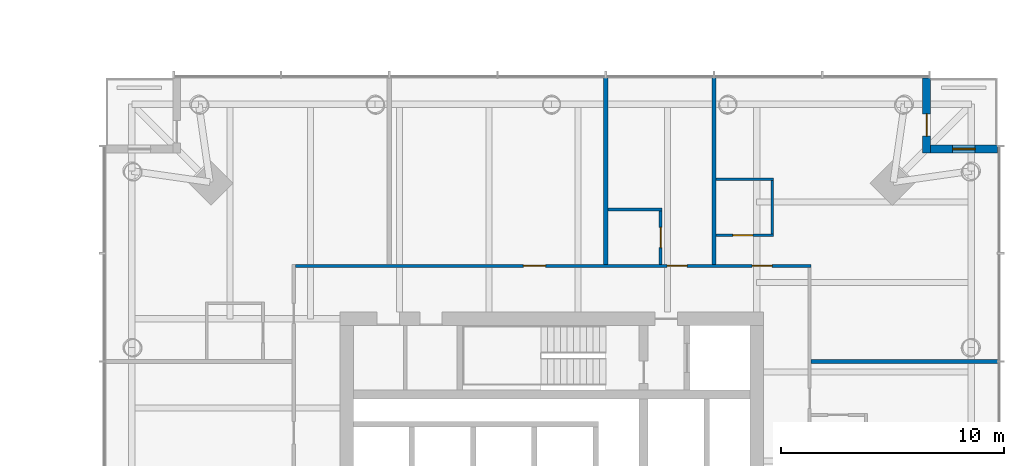
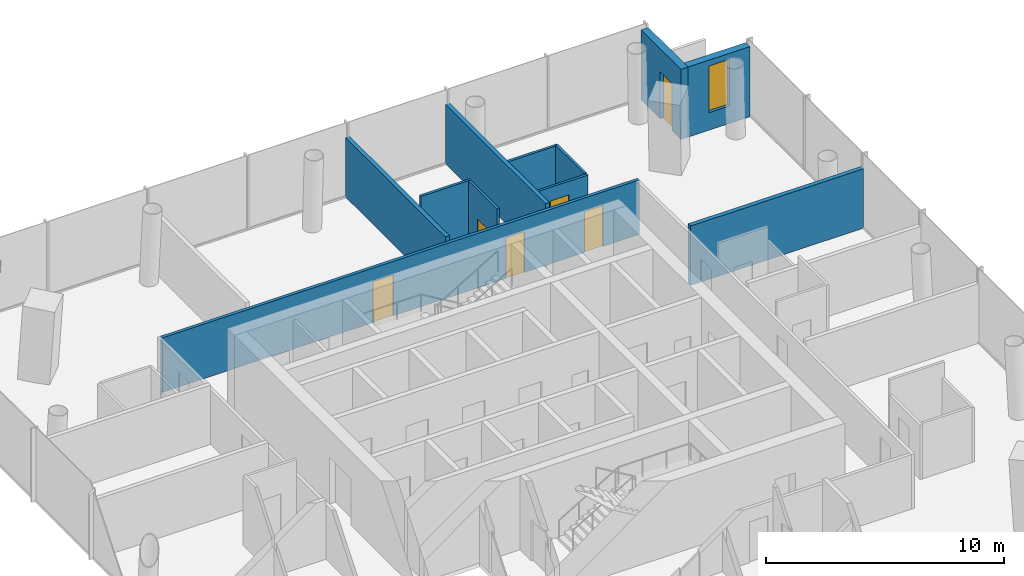
# One storey, part 16 of 19: 11 walls, 6 doors, 1 window, 7 openings.
"""IFC4 building model written with IfcOpenShell, lengths in metres."""

import ifcopenshell
import ifcopenshell.guid

model = None  # the IFC model being written
_history = None  # IfcOwnerHistory: only IFC2X3 demands one
_inside = {}  # id of a spatial element -> (the spatial element, [elements in it])
_under = {}  # id of a project, library or spatial element -> (it, [spatial elements below it])
_declared = {}  # id of a project -> (the project, [libraries it declares])
_typed = {}  # id of a type object -> (the type object, [elements of that type])
_made_of = {}  # id of a material, layer set ... -> (it, [elements and type objects made of it])


def new_model(schema):
    """Start an empty IFC model of exactly this schema.

    Asked for "IFC4X3", IfcOpenShell would pick the latest addendum, in which some entities
    have other attributes; the version numbers below select the first issue.
    IFC2X3 requires an IfcOwnerHistory on every rooted entity: one is made here for all.
    """
    global model, _history
    if schema == "IFC4X3":
        model = ifcopenshell.file(schema_version=(4, 3, 0, 0))
    else:
        model = ifcopenshell.file(schema=schema)
    _inside.clear()
    _under.clear()
    _declared.clear()
    _typed.clear()
    _made_of.clear()
    _history = None
    if model.schema == "IFC2X3":
        org = make("IfcOrganization", Name="unknown")
        user = make(
            "IfcPersonAndOrganization",
            ThePerson=make("IfcPerson", FamilyName="unknown"),
            TheOrganization=org,
        )
        app = make(
            "IfcApplication",
            ApplicationDeveloper=org,
            Version="unknown",
            ApplicationFullName="unknown",
            ApplicationIdentifier="unknown",
        )
        _history = make(
            "IfcOwnerHistory",
            OwningUser=user,
            OwningApplication=app,
            ChangeAction="ADDED",
            CreationDate=0,
        )
    return model


def make(cls, **values):
    """One entity of the class cls with the attributes given. An attribute that is None is left unset."""
    return model.create_entity(
        cls, **{name: value for name, value in values.items() if value is not None}
    )


def rooted(cls, **values):
    """An entity with a GlobalId (a new one), such as an element, a storey or a relation."""
    return make(cls, GlobalId=ifcopenshell.guid.new(), OwnerHistory=_history, **values)


def si_unit(unit_type, name, prefix=None):
    """IfcSIUnit, for example si_unit("LENGTHUNIT", "METRE", prefix="MILLI")."""
    return make("IfcSIUnit", UnitType=unit_type, Prefix=prefix, Name=name)


def assignment(units):
    """IfcUnitAssignment: the units of a project."""
    return None if units is None else make("IfcUnitAssignment", Units=units)


def point(xyz):
    """IfcCartesianPoint."""
    return None if xyz is None else make("IfcCartesianPoint", Coordinates=xyz)


def direction(xyz):
    """IfcDirection."""
    return None if xyz is None else make("IfcDirection", DirectionRatios=xyz)


def frame(location, z_axis=None, x_axis=None):
    """IfcAxis2Placement3D, a coordinate frame: its origin and axes. An axis left out is left unset."""
    return make(
        "IfcAxis2Placement3D",
        Location=point(location),
        Axis=direction(z_axis),
        RefDirection=direction(x_axis),
    )


def frame_2d(location, x_axis=None):
    """IfcAxis2Placement2D, a coordinate frame in the plane: its origin and x axis."""
    return make(
        "IfcAxis2Placement2D", Location=point(location), RefDirection=direction(x_axis)
    )


def origin():
    """The frame at (0, 0, 0) with its axes left unset."""
    return frame((0.0, 0.0, 0.0))


def place(relative_to, where):
    """IfcLocalPlacement: puts the frame where relative to a parent placement (None: the world)."""
    return make(
        "IfcLocalPlacement", PlacementRelTo=relative_to, RelativePlacement=where
    )


def context(
    kind, dimensions, precision=None, world=None, true_north=None, identifier=None
):
    """IfcGeometricRepresentationContext, for example the 3D "Model" context."""
    return make(
        "IfcGeometricRepresentationContext",
        ContextIdentifier=identifier,
        ContextType=kind,
        CoordinateSpaceDimension=dimensions,
        Precision=precision,
        WorldCoordinateSystem=world,
        TrueNorth=true_north,
    )


def subcontext(parent, identifier, kind, view, scale=None):
    """IfcGeometricRepresentationSubContext, for example "Body" below "Model"."""
    return make(
        "IfcGeometricRepresentationSubContext",
        ContextIdentifier=identifier,
        ContextType=kind,
        ParentContext=parent,
        TargetScale=scale,
        TargetView=view,
    )


def project(units=None, contexts=None):
    """IfcProject with its units and contexts."""
    return rooted(
        "IfcProject",
        Name="project",
        RepresentationContexts=contexts,
        UnitsInContext=assignment(units),
    )


def spatial(cls, under=None, at=None, **own):
    """A site, building, storey or space (cls), placed at a placement, below another one or the project."""
    s = rooted(cls, ObjectPlacement=at, **own)
    if under is not None:
        _under.setdefault(under.id(), (under, []))[1].append(s)
    return s


def profile(cls, at=None, kind="AREA", **sizes):
    """A parametric profile (cls). Its sizes go by their IFC names, for example OverallWidth=200.0."""
    return make(cls, ProfileType=kind, Position=at, **sizes)


def rectangle(**sizes):
    """IfcRectangleProfileDef."""
    return profile("IfcRectangleProfileDef", **sizes)


def extrude(swept, where, along, depth):
    """IfcExtrudedAreaSolid: the profile swept, set in the frame where, extruded along a direction by depth."""
    return make(
        "IfcExtrudedAreaSolid",
        SweptArea=swept,
        Position=where,
        ExtrudedDirection=direction(along),
        Depth=depth,
    )


def shape(context_of_items, identifier, shape_type, items):
    """IfcShapeRepresentation: the items that make up one representation, for example the "Body"."""
    return make(
        "IfcShapeRepresentation",
        ContextOfItems=context_of_items,
        RepresentationIdentifier=identifier,
        RepresentationType=shape_type,
        Items=items,
    )


def material(Name=None, Category=None):
    """IfcMaterial."""
    return make("IfcMaterial", Name=Name, Category=Category)


def layer(
    of_material, thickness, ventilated=None, Name=None, Category=None, Priority=None
):
    """IfcMaterialLayer: one layer of a wall or slab, of a material (None: an air gap)."""
    return make(
        "IfcMaterialLayer",
        Material=of_material,
        LayerThickness=thickness,
        IsVentilated=ventilated,
        Name=Name,
        Category=Category,
        Priority=Priority,
    )


def layer_set(layers, Name=None):
    """IfcMaterialLayerSet."""
    return make("IfcMaterialLayerSet", MaterialLayers=layers, LayerSetName=Name)


def made_of(thing, what):
    """Note that an element or type object is made of a material, layer set ...; save() writes the relation."""
    if what is not None:
        _made_of.setdefault(what.id(), (what, []))[1].append(thing)
    return thing


def type_object(cls, material=None, **own):
    """A type object (cls), such as IfcWallType, which elements share."""
    return made_of(rooted(cls, **own), material)


def element(
    cls,
    number,
    at=None,
    inside=None,
    cuts=None,
    type_object=None,
    material=None,
    context=None,
    identifier="Body",
    shape_type=None,
    held_by="IfcProductDefinitionShape",
    body=None,
    shapes=None,
    **own,
):
    """One element of the class cls, such as IfcWall. Its Tag is "e" and its number.

    at: its placement. inside: the storey or other place that contains it. cuts: it is an
    opening in that element (IfcRelVoidsElement). A single representation is given by context,
    identifier, shape_type and body (its items); several are given by shapes. held_by: the class
    of the entity that holds the representations. save() writes the other relations.
    """
    e = rooted(cls, Tag="e%d" % number, ObjectPlacement=at, **own)
    if body is not None:
        shapes = [shape(context, identifier, shape_type, body)]
    if shapes is not None:
        e.Representation = make(held_by, Representations=shapes)
    if inside is not None:
        _inside.setdefault(inside.id(), (inside, []))[1].append(e)
    if cuts is not None:
        rooted(
            "IfcRelVoidsElement", RelatingBuildingElement=cuts, RelatedOpeningElement=e
        )
    if type_object is not None:
        _typed.setdefault(type_object.id(), (type_object, []))[1].append(e)
    return made_of(e, material)


def fill(opening, filler):
    """IfcRelFillsElement: the door or window that sits in an opening."""
    return rooted(
        "IfcRelFillsElement",
        RelatingOpeningElement=opening,
        RelatedBuildingElement=filler,
    )


def aggregate(whole, parts):
    """IfcRelAggregates: a whole, such as a stair, and the parts it consists of."""
    return rooted("IfcRelAggregates", RelatingObject=whole, RelatedObjects=parts)


def save(model, path):
    """Write the relations noted so far, then the file.

    IfcRelAggregates (storeys below a building ...), IfcRelContainedInSpatialStructure (elements
    in a storey), IfcRelDefinesByType, IfcRelAssociatesMaterial and IfcRelDeclares: one each for
    every whole, place, type object, material and project.
    """
    for whole, parts in _under.values():
        aggregate(whole, parts)
    for where, things in _inside.values():
        rooted(
            "IfcRelContainedInSpatialStructure",
            RelatedElements=things,
            RelatingStructure=where,
        )
    for kind, things in _typed.values():
        rooted("IfcRelDefinesByType", RelatedObjects=things, RelatingType=kind)
    for what, things in _made_of.values():
        rooted("IfcRelAssociatesMaterial", RelatedObjects=things, RelatingMaterial=what)
    for by, libraries in _declared.values():
        rooted("IfcRelDeclares", RelatingContext=by, RelatedDefinitions=libraries)
    model.write(path)


model = new_model("IFC4")

# Units and contexts
model_context = context("Model", 3, precision=1e-05, world=origin(), true_north=direction((0.0, 1.0)))
body_context = subcontext(model_context, "Body", "Model", "MODEL_VIEW")
ifc_project = project(units=[si_unit("LENGTHUNIT", "METRE"), si_unit("AREAUNIT", "SQUARE_METRE"), si_unit("VOLUMEUNIT", "CUBIC_METRE"), si_unit("PLANEANGLEUNIT", "RADIAN"), si_unit("MASSUNIT", "GRAM", prefix="KILO")], contexts=[model_context])

# Site, building, storey
site_placement = place(None, origin())
site = spatial("IfcSite", under=ifc_project, at=site_placement, CompositionType="ELEMENT")
building_placement = place(site_placement, origin())
building = spatial("IfcBuilding", under=site, at=building_placement, Name="Ostroluk Exchange", CompositionType="ELEMENT")
storey_placement = place(building_placement, frame((0.0, 0.0, 24.800048828125)))
storey = spatial("IfcBuildingStorey", under=building, at=storey_placement, Name="L05", CompositionType="ELEMENT", Elevation=24.800048828125)

# Wall, opening, door
ifc_material_1 = material(Name="Limestone", Category="masonry")
ifc_layer_1 = layer(ifc_material_1, 0.35009765625)
ifc_layer_set_1 = layer_set([ifc_layer_1], Name="Limestone facade wall 350")
wall_type_1 = type_object("IfcWallType", Name="Limestone facade wall 350", PredefinedType="SOLIDWALL", material=ifc_layer_set_1)
wall_1_placement = place(storey_placement, frame((133.824951171875, 66.0, 0.0), z_axis=(0.0, 0.0, 1.0), x_axis=(0.0, -1.0, 0.0)))
wall_1 = element("IfcWall", 1, at=wall_1_placement, inside=storey, type_object=wall_type_1, Name="Hotel tower NE corner wall L05 a", PredefinedType="SOLIDWALL", context=body_context, shape_type="SweptSolid", body=[
    extrude(rectangle(XDim=3.35009765625, YDim=0.35009765625, at=frame_2d((1.675048828125, 0.0))), origin(), (0.0, 0.0, 1.0), 3.599853515625),
])
opening_1_placement = place(wall_1_placement, frame((1.60009765625, 0.0, 0.0)))
opening_1 = element("IfcOpeningElement", 2, at=opening_1_placement, cuts=wall_1, Name="Opening D-B1", PredefinedType="OPENING", context=body_context, shape_type="SweptSolid", body=[
    extrude(rectangle(XDim=1.0, YDim=2.39990234375, at=frame_2d((0.5, 1.199951171875))), frame((0.0, 0.18505859375, 0.0), z_axis=(0.0, -1.0, 0.0), x_axis=(1.0, 0.0, 0.0)), (0.0, 0.0, 1.0), 0.3701171875),
])
ifc_material_2 = material(Name="Bronze framed glazed door", Category="aluminium")
door_type_1 = type_object("IfcDoorType", Name="Balcony door 1000 x 2400", OperationType="SINGLE_SWING_LEFT", PredefinedType="DOOR", material=ifc_material_2)
door_1_placement = place(opening_1_placement, origin())
door_1 = element("IfcDoor", 3, at=door_1_placement, inside=storey, type_object=door_type_1, Name="Hotel tower NE balcony door L05", OperationType="SINGLE_SWING_RIGHT", OverallHeight=2.39990234375, OverallWidth=1.0, PredefinedType="DOOR", context=body_context, shape_type="SweptSolid", body=[
    extrude(rectangle(XDim=1.0, YDim=2.39990234375, at=frame_2d((0.5, 1.199951171875))), frame((0.0, 0.02490234375, 0.0), z_axis=(0.0, -1.0, 0.0), x_axis=(1.0, 0.0, 0.0)), (0.0, 0.0, 1.0), 0.050048828125),
])
fill(opening_1, door_1)

# Wall, opening, window
wall_2_placement = place(storey_placement, frame((134.0, 62.824951171875, 0.0), z_axis=(0.0, 0.0, 1.0), x_axis=(1.0, 0.0, 0.0)))
wall_2 = element("IfcWall", 4, at=wall_2_placement, inside=storey, type_object=wall_type_1, Name="Hotel tower NE corner wall L05 b", PredefinedType="SOLIDWALL", context=body_context, shape_type="SweptSolid", body=[
    extrude(rectangle(XDim=3.0, YDim=0.35009765625, at=frame_2d((1.5, 0.0))), origin(), (0.0, 0.0, 1.0), 3.599853515625),
])
opening_2_placement = place(wall_2_placement, frame((1.0, 0.0, 0.89990234375)))
opening_2 = element("IfcOpeningElement", 5, at=opening_2_placement, cuts=wall_2, Name="Opening WN-L3", PredefinedType="OPENING", context=body_context, shape_type="SweptSolid", body=[
    extrude(rectangle(XDim=1.0, YDim=2.39990234375, at=frame_2d((0.5, 1.199951171875))), frame((0.0, 0.18505859375, 0.0), z_axis=(0.0, -1.0, 0.0), x_axis=(1.0, 0.0, 0.0)), (0.0, 0.0, 1.0), 0.3701171875),
])
ifc_material_3 = material(Name="Laminated clear glass", Category="glass")
window_type = type_object("IfcWindowType", Name="Hotel lancet window 1000 x 2400", PartitioningType="SINGLE_PANEL", PredefinedType="WINDOW", material=ifc_material_3)
window_placement = place(opening_2_placement, origin())
window = element("IfcWindow", 6, at=window_placement, inside=storey, type_object=window_type, Name="Hotel tower NE lancet window L05", OverallHeight=2.39990234375, OverallWidth=1.0, PartitioningType="SINGLE_PANEL", PredefinedType="WINDOW", context=body_context, shape_type="SweptSolid", body=[
    extrude(rectangle(XDim=1.0, YDim=2.39990234375, at=frame_2d((0.5, 1.199951171875))), frame((0.0, 0.030029296875, 0.0), z_axis=(0.0, -1.0, 0.0), x_axis=(1.0, 0.0, 0.0)), (0.0, 0.0, 1.0), 0.06005859375),
])
fill(opening_2, window)

# Wall, opening, door
ifc_material_4 = material(Name="Gypsum plasterboard partition, moisture resistant", Category="gypsum")
ifc_layer_2 = layer(ifc_material_4, 0.1201171875)
ifc_layer_set_2 = layer_set([ifc_layer_2], Name="Plasterboard en-suite wall 120")
wall_type_2 = type_object("IfcWallType", Name="Plasterboard en-suite wall 120", PredefinedType="PARTITIONING", material=ifc_layer_set_2)
wall_3_placement = place(storey_placement, frame((124.3857421875, 58.949951171875, 0.0), z_axis=(0.0, 0.0, 1.0), x_axis=(1.0, 0.0, 0.0)))
wall_3 = element("IfcWall", 7, at=wall_3_placement, inside=storey, type_object=wall_type_2, Name="En-suite wall", PredefinedType="PARTITIONING", context=body_context, shape_type="SweptSolid", body=[
    extrude(rectangle(XDim=2.580078125, YDim=0.1201171875, at=frame_2d((1.2900390625, 0.0))), origin(), (0.0, 0.0, 1.0), 2.800048828125),
])
opening_3_placement = place(wall_3_placement, frame((0.75, 0.0, 0.0)))
opening_3 = element("IfcOpeningElement", 8, at=opening_3_placement, cuts=wall_3, Name="Opening D-02", PredefinedType="OPENING", context=body_context, shape_type="SweptSolid", body=[
    extrude(rectangle(XDim=0.89990234375, YDim=2.10009765625, at=frame_2d((0.449951171875, 1.050048828125))), frame((0.0, 0.070068359375, 0.0), z_axis=(0.0, -1.0, 0.0), x_axis=(1.0, 0.0, 0.0)), (0.0, 0.0, 1.0), 0.14013671875),
])
ifc_material_5 = material(Name="Timber", Category="wood")
door_type_2 = type_object("IfcDoorType", Name="En-suite door 900 x 2100", OperationType="SINGLE_SWING_LEFT", PredefinedType="DOOR", material=ifc_material_5)
door_2_placement = place(opening_3_placement, origin())
door_2 = element("IfcDoor", 9, at=door_2_placement, inside=storey, type_object=door_type_2, Name="En-suite door 504", OperationType="SINGLE_SWING_LEFT", OverallHeight=2.10009765625, OverallWidth=0.89990234375, PredefinedType="DOOR", context=body_context, shape_type="SweptSolid", body=[
    extrude(rectangle(XDim=0.89990234375, YDim=2.10009765625, at=frame_2d((0.449951171875, 1.050048828125))), frame((0.0, 0.02490234375, 0.0), z_axis=(0.0, -1.0, 0.0), x_axis=(1.0, 0.0, 0.0)), (0.0, 0.0, 1.0), 0.050048828125),
])
fill(opening_3, door_2)

# Walls
wall_4_placement = place(storey_placement, frame((124.3857421875, 61.469970703125, 0.0), z_axis=(0.0, 0.0, 1.0), x_axis=(1.0, 0.0, 0.0)))
element("IfcWall", 10, at=wall_4_placement, inside=storey, type_object=wall_type_2, Name="En-suite wall", PredefinedType="PARTITIONING", context=body_context, shape_type="SweptSolid", body=[
    extrude(rectangle(XDim=2.580078125, YDim=0.1201171875, at=frame_2d((1.2900390625, 0.0))), origin(), (0.0, 0.0, 1.0), 2.800048828125),
])
wall_5_placement = place(storey_placement, frame((126.90576171875, 59.010009765625, 0.0), z_axis=(0.0, 0.0, 1.0), x_axis=(0.0, 1.0, 0.0)))
element("IfcWall", 11, at=wall_5_placement, inside=storey, type_object=wall_type_2, Name="En-suite wall", PredefinedType="PARTITIONING", context=body_context, shape_type="SweptSolid", body=[
    extrude(rectangle(XDim=2.39990234375, YDim=0.1201171875, at=frame_2d((1.199951171875, 0.0))), origin(), (0.0, 0.0, 1.0), 2.846923828125),
])
wall_6_placement = place(storey_placement, frame((121.948486328125, 60.110107421875, 0.0), z_axis=(0.0, 0.0, 1.0), x_axis=(-1.0, 0.0, 0.0)))
element("IfcWall", 12, at=wall_6_placement, inside=storey, type_object=wall_type_2, Name="En-suite wall", PredefinedType="PARTITIONING", context=body_context, shape_type="SweptSolid", body=[
    extrude(rectangle(XDim=2.419921875, YDim=0.1201171875, at=frame_2d((1.2099609375, 0.0))), origin(), (0.0, 0.0, 1.0), 3.599853515625),
])

# Wall, opening, door
wall_7_placement = place(storey_placement, frame((121.888671875, 57.64990234375, 0.0), z_axis=(0.0, 0.0, 1.0), x_axis=(0.0, 1.0, 0.0)))
wall_7 = element("IfcWall", 13, at=wall_7_placement, inside=storey, type_object=wall_type_2, Name="En-suite wall", PredefinedType="PARTITIONING", context=body_context, shape_type="SweptSolid", body=[
    extrude(rectangle(XDim=2.400146484375, YDim=0.1201171875, at=frame_2d((1.2001953125, 0.0))), origin(), (0.0, 0.0, 1.0), 3.599853515625),
])
opening_4_placement = place(wall_7_placement, frame((0.75, 0.0, 0.0)))
opening_4 = element("IfcOpeningElement", 14, at=opening_4_placement, cuts=wall_7, Name="Opening D-02", PredefinedType="OPENING", context=body_context, shape_type="SweptSolid", body=[
    extrude(rectangle(XDim=0.89990234375, YDim=2.10009765625, at=frame_2d((0.449951171875, 1.050048828125))), frame((0.0, 0.070068359375, 0.0), z_axis=(0.0, -1.0, 0.0), x_axis=(1.0, 0.0, 0.0)), (0.0, 0.0, 1.0), 0.14013671875),
])
door_3_placement = place(opening_4_placement, origin())
door_3 = element("IfcDoor", 15, at=door_3_placement, inside=storey, type_object=door_type_2, Name="En-suite door 505", OperationType="SINGLE_SWING_RIGHT", OverallHeight=2.10009765625, OverallWidth=0.89990234375, PredefinedType="DOOR", context=body_context, shape_type="SweptSolid", body=[
    extrude(rectangle(XDim=0.89990234375, YDim=2.10009765625, at=frame_2d((0.449951171875, 1.050048828125))), frame((0.0, 0.02490234375, 0.0), z_axis=(0.0, -1.0, 0.0), x_axis=(1.0, 0.0, 0.0)), (0.0, 0.0, 1.0), 0.050048828125),
])
fill(opening_4, door_3)

# Wall, openings, doors
ifc_material_6 = material(Name="Gypsum plasterboard partition", Category="gypsum")
ifc_layer_3 = layer(ifc_material_6, 0.14990234375)
ifc_layer_set_3 = layer_set([ifc_layer_3], Name="Plasterboard partition 150")
wall_type_3 = type_object("IfcWallType", Name="Plasterboard partition 150", PredefinedType="PARTITIONING", material=ifc_layer_set_3)
wall_8_placement = place(storey_placement, frame((128.64990234375, 57.574951171875, 0.0), z_axis=(0.0, 0.0, 1.0), x_axis=(-1.0, 0.0, 0.0)))
wall_8 = element("IfcWall", 16, at=wall_8_placement, inside=storey, type_object=wall_type_3, Name="Corridor wall", PredefinedType="PARTITIONING", context=body_context, shape_type="SweptSolid", body=[
    extrude(rectangle(XDim=23.14990234375, YDim=0.14990234375, at=frame_2d((11.574951171875, 0.0))), origin(), (0.0, 0.0, 1.0), 2.800048828125),
])
opening_5_placement = place(wall_8_placement, frame((1.757080078125, 0.0, 0.0)))
opening_5 = element("IfcOpeningElement", 17, at=opening_5_placement, cuts=wall_8, Name="Opening D-01", PredefinedType="OPENING", context=body_context, shape_type="SweptSolid", body=[
    extrude(rectangle(XDim=0.89990234375, YDim=2.10009765625, at=frame_2d((0.449951171875, 1.050048828125))), frame((0.0, 0.0849609375, 0.0), z_axis=(0.0, -1.0, 0.0), x_axis=(1.0, 0.0, 0.0)), (0.0, 0.0, 1.0), 0.169921875),
])
opening_6_placement = place(wall_8_placement, frame((5.571533203125, 0.0, 0.0)))
opening_6 = element("IfcOpeningElement", 18, at=opening_6_placement, cuts=wall_8, Name="Opening D-01", PredefinedType="OPENING", context=body_context, shape_type="SweptSolid", body=[
    extrude(rectangle(XDim=0.89990234375, YDim=2.10009765625, at=frame_2d((0.449951171875, 1.050048828125))), frame((0.0, 0.0849609375, 0.0), z_axis=(0.0, -1.0, 0.0), x_axis=(1.0, 0.0, 0.0)), (0.0, 0.0, 1.0), 0.169921875),
])
opening_7_placement = place(wall_8_placement, frame((11.92138671875, 0.0, 0.0)))
opening_7 = element("IfcOpeningElement", 19, at=opening_7_placement, cuts=wall_8, Name="Opening D-03", PredefinedType="OPENING", context=body_context, shape_type="SweptSolid", body=[
    extrude(rectangle(XDim=1.0, YDim=2.10009765625, at=frame_2d((0.5, 1.050048828125))), frame((0.0, 0.0849609375, 0.0), z_axis=(0.0, -1.0, 0.0), x_axis=(1.0, 0.0, 0.0)), (0.0, 0.0, 1.0), 0.169921875),
])
ifc_material_7 = material(Name="Timber", Category="wood")
door_type_3 = type_object("IfcDoorType", Name="Hotel room door EI 30 Sa 900 x 2100", OperationType="SINGLE_SWING_LEFT", PredefinedType="DOOR", material=ifc_material_7)
door_4_placement = place(opening_5_placement, origin())
door_4 = element("IfcDoor", 20, at=door_4_placement, inside=storey, type_object=door_type_3, Name="Room door 504", OperationType="SINGLE_SWING_LEFT", OverallHeight=2.10009765625, OverallWidth=0.89990234375, PredefinedType="DOOR", context=body_context, shape_type="SweptSolid", body=[
    extrude(rectangle(XDim=0.89990234375, YDim=2.10009765625, at=frame_2d((0.449951171875, 1.050048828125))), frame((0.0, 0.02490234375, 0.0), z_axis=(0.0, -1.0, 0.0), x_axis=(1.0, 0.0, 0.0)), (0.0, 0.0, 1.0), 0.050048828125),
])
fill(opening_5, door_4)
door_5_placement = place(opening_6_placement, origin())
door_5 = element("IfcDoor", 21, at=door_5_placement, inside=storey, type_object=door_type_3, Name="Room door 505", OperationType="SINGLE_SWING_LEFT", OverallHeight=2.10009765625, OverallWidth=0.89990234375, PredefinedType="DOOR", context=body_context, shape_type="SweptSolid", body=[
    extrude(rectangle(XDim=0.89990234375, YDim=2.10009765625, at=frame_2d((0.449951171875, 1.050048828125))), frame((0.0, 0.02490234375, 0.0), z_axis=(0.0, -1.0, 0.0), x_axis=(1.0, 0.0, 0.0)), (0.0, 0.0, 1.0), 0.050048828125),
])
fill(opening_6, door_5)
ifc_material_8 = material(Name="Timber", Category="wood")
door_type_4 = type_object("IfcDoorType", Name="Internal door 1000 x 2100", OperationType="SINGLE_SWING_LEFT", PredefinedType="DOOR", material=ifc_material_8)
door_6_placement = place(opening_7_placement, origin())
door_6 = element("IfcDoor", 22, at=door_6_placement, inside=storey, type_object=door_type_4, Name="Guest lounge door", OperationType="SINGLE_SWING_RIGHT", OverallHeight=2.10009765625, OverallWidth=1.0, PredefinedType="DOOR", context=body_context, shape_type="SweptSolid", body=[
    extrude(rectangle(XDim=1.0, YDim=2.10009765625, at=frame_2d((0.5, 1.050048828125))), frame((0.0, 0.02490234375, 0.0), z_axis=(0.0, -1.0, 0.0), x_axis=(1.0, 0.0, 0.0)), (0.0, 0.0, 1.0), 0.050048828125),
])
fill(opening_7, door_6)

# Walls
ifc_material_9 = material(Name="Gypsum plasterboard partition", Category="gypsum")
ifc_layer_4 = layer(ifc_material_9, 0.199951171875)
ifc_layer_set_4 = layer_set([ifc_layer_4], Name="Plasterboard party wall 200")
wall_type_4 = type_object("IfcWallType", Name="Plasterboard party wall 200", PredefinedType="PARTITIONING", material=ifc_layer_set_4)
for number, where, z_axis, x_axis, name in (
    (23, (128.64990234375, 53.28564453125, 0.0), (0.0, 0.0, 1.0), (1.0, 0.0, 0.0), "Party wall"),
    (24, (124.28564453125, 57.64990234375, 0.0), (0.0, 0.0, 1.0), (0.0, 1.0, 0.0), "Party wall"),
    (25, (119.428466796875, 57.64990234375, 0.0), (0.0, 0.0, 1.0), (0.0, 1.0, 0.0), "Party wall"),
):
    element("IfcWall", number, at=place(storey_placement, frame(where, z_axis=z_axis, x_axis=x_axis)), inside=storey, type_object=wall_type_4, Name=name, PredefinedType="PARTITIONING", context=body_context, shape_type="SweptSolid", body=[
        extrude(rectangle(XDim=8.39013671875, YDim=0.199951171875, at=frame_2d((4.195068359375, 0.0))), origin(), (0.0, 0.0, 1.0), 3.050048828125),
    ])

save(model, "model.ifc")
